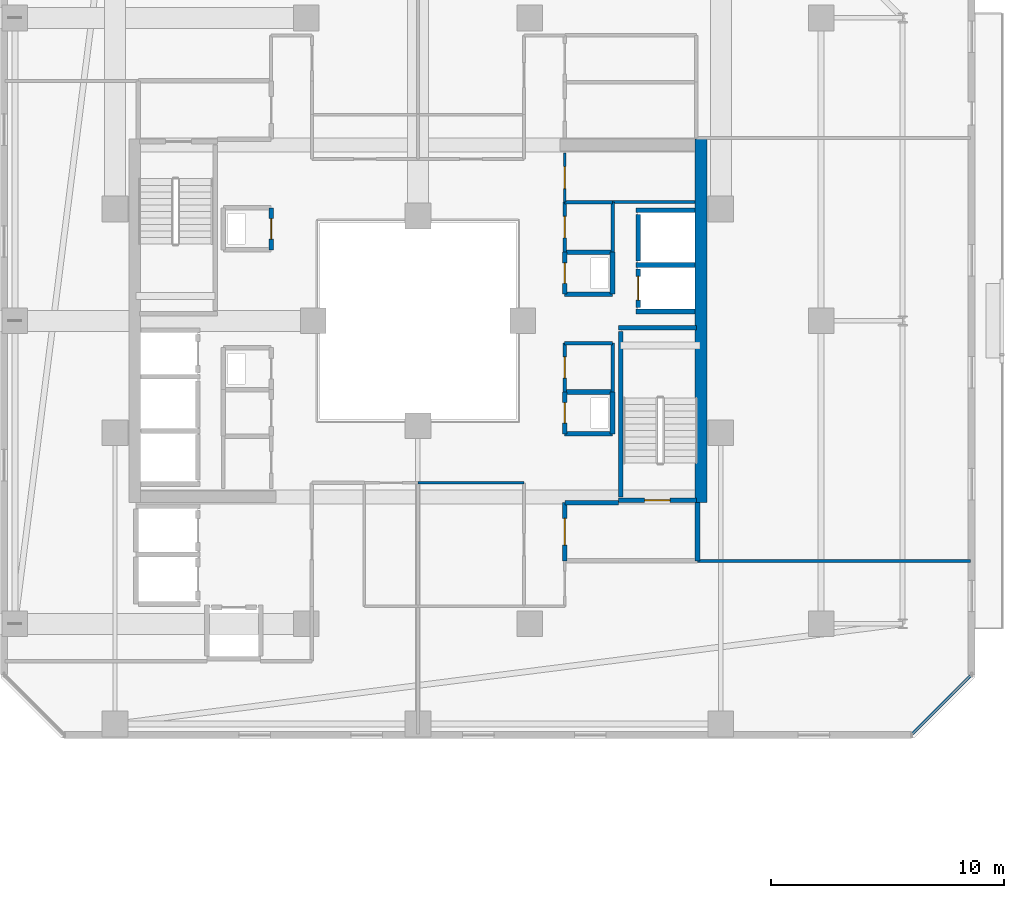
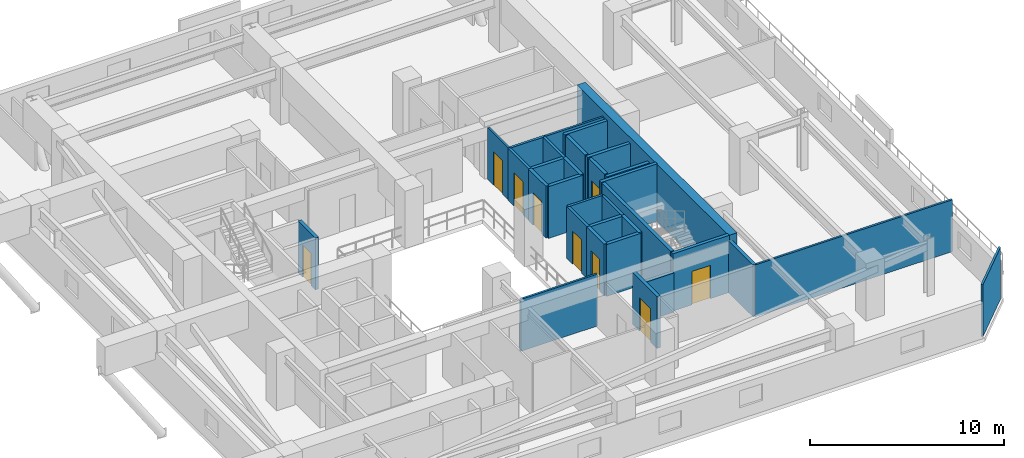
# One storey, part 27 of 36: 32 walls, 9 doors, 9 openings.
"""IFC4 building model written with IfcOpenShell, lengths in metres."""

from ifc_helpers import new_model, si_unit, direction, frame, frame_2d, origin, place, context, subcontext, project, spatial, rectangle, extrude, material, layer, layer_set, type_object, element, fill, save


model = new_model("IFC4")

# Units and contexts
model_context = context("Model", 3, precision=1e-05, world=origin(), true_north=direction((0.0, 1.0)))
body_context = subcontext(model_context, "Body", "Model", "MODEL_VIEW")
ifc_project = project(units=[si_unit("LENGTHUNIT", "METRE"), si_unit("AREAUNIT", "SQUARE_METRE"), si_unit("VOLUMEUNIT", "CUBIC_METRE"), si_unit("PLANEANGLEUNIT", "RADIAN"), si_unit("MASSUNIT", "GRAM", prefix="KILO")], contexts=[model_context])

# Site, building, storey
site_placement = place(None, origin())
site = spatial("IfcSite", under=ifc_project, at=site_placement, CompositionType="ELEMENT")
building_placement = place(site_placement, origin())
building = spatial("IfcBuilding", under=site, at=building_placement, Name="Thornwick Lancets Civic Towers", CompositionType="ELEMENT")
storey_placement = place(building_placement, frame((0.0, 0.0, 170.699951171875)))
storey = spatial("IfcBuildingStorey", under=building, at=storey_placement, Name="L45", CompositionType="ELEMENT", Elevation=170.699951171875)

# Wall, opening, door
ifc_material_1 = material(Name="Concrete blockwork C40/50", Category="masonry")
ifc_layer_1 = layer(ifc_material_1, 0.199951171875, Name="Concrete blockwork C40/50")
ifc_layer_set_1 = layer_set([ifc_layer_1], Name="Concrete blockwork C40/50")
wall_type_1 = type_object("IfcWallType", Name="WALL_COMP_200", PredefinedType="STANDARD", material=ifc_layer_set_1)
wall_1_placement = place(storey_placement, frame((97.949951171875, 29.219970703125, 0.0), z_axis=(0.0, 0.0, 1.0), x_axis=(0.0, -1.0, 0.0)))
wall_1 = element("IfcWall", 1, at=wall_1_placement, inside=storey, type_object=wall_type_1, Name="L45 Hoistway Front Wall FL-B1", PredefinedType="STANDARD", context=body_context, shape_type="SweptSolid", body=[
    extrude(rectangle(XDim=1.639892578125, YDim=0.199951171875, at=frame_2d((0.81982421875, 0.0))), origin(), (0.0, 0.0, 1.0), 3.260009765625),
])
opening_1_placement = place(wall_1_placement, frame((0.31005859375, 0.0, 0.0)))
opening_1 = element("IfcOpeningElement", 2, at=opening_1_placement, cuts=wall_1, Name="Opening LD-FL-B1", PredefinedType="OPENING", context=body_context, shape_type="SweptSolid", body=[
    extrude(rectangle(XDim=1.02001953125, YDim=2.06005859375, at=frame_2d((0.510009765625, 1.030029296875))), frame((0.0, 0.10986328125, 0.0), z_axis=(0.0, -1.0, 0.0), x_axis=(1.0, 0.0, 0.0)), (0.0, 0.0, 1.0), 0.219970703125),
])
ifc_material_2 = material(Name="Brushed bronze stainless steel", Category="steel")
door_type_1 = type_object("IfcDoorType", Name="DOOR_LIFT_SLIDE", OperationType="SLIDING_TO_LEFT", PredefinedType="DOOR", material=ifc_material_2)
door_1_placement = place(opening_1_placement, origin())
door_1 = element("IfcDoor", 3, at=door_1_placement, inside=storey, type_object=door_type_1, Name="L45 Sliding Lift Landing Door LD-FL-B1", OperationType="SLIDING_TO_LEFT", OverallHeight=2.06005859375, OverallWidth=1.02001953125, PredefinedType="DOOR", context=body_context, shape_type="SweptSolid", body=[
    extrude(rectangle(XDim=1.02001953125, YDim=2.06005859375, at=frame_2d((0.510009765625, 1.030029296875))), frame((0.0, 0.02490234375, 0.0), z_axis=(0.0, -1.0, 0.0), x_axis=(1.0, 0.0, 0.0)), (0.0, 0.0, 1.0), 0.050048828125),
])
fill(opening_1, door_1)

# Walls
wall_2_placement = place(storey_placement, frame((97.949951171875, 31.570068359375, 0.0), z_axis=(0.0, 0.0, 1.0), x_axis=(0.0, -1.0, 0.0)))
element("IfcWall", 4, at=wall_2_placement, inside=storey, type_object=wall_type_1, Name="L45 Hoistway Front Wall PL-BH1", PredefinedType="STANDARD", context=body_context, shape_type="SweptSolid", body=[
    extrude(rectangle(XDim=1.989990234375, YDim=0.199951171875, at=frame_2d((0.9951171875, 0.0))), origin(), (0.0, 0.0, 1.0), 3.260009765625),
])
for number, where, z_axis, x_axis, name in (
    (5, (97.85205078125, 29.39990234375, 0.0), (0.0, 0.0, 1.0), (1.0, 0.0, 0.0), "L45 Hoistway Shaft Wall FL-B1 N"),
    (6, (97.85205078125, 27.39990234375, 0.0), (0.0, 0.0, 1.0), (1.0, 0.0, 0.0), "L45 Hoistway Shaft Wall FL-B1 S"),
    (7, (97.85205078125, 31.75, 0.0), (0.0, 0.0, 1.0), (1.0, 0.0, 0.0), "L45 Hoistway Shaft Wall PL-BH1 N"),
):
    element("IfcWall", number, at=place(storey_placement, frame(where, z_axis=z_axis, x_axis=x_axis)), inside=storey, type_object=wall_type_1, Name=name, PredefinedType="STANDARD", context=body_context, shape_type="SweptSolid", body=[
        extrude(rectangle(XDim=2.535888671875, YDim=0.199951171875, at=frame_2d((1.26806640625, 0.0))), origin(), (0.0, 0.0, 1.0), 3.260009765625),
    ])
wall_3_placement = place(storey_placement, frame((100.5, 16.699951171875, 0.0), z_axis=(0.0, 0.0, 1.0), x_axis=(0.0, 1.0, 0.0)))
element("IfcWall", 8, at=wall_3_placement, inside=storey, type_object=wall_type_1, Name="L45 Partition L45-B-FFLOB1 E2", PredefinedType="STANDARD", context=body_context, shape_type="SweptSolid", body=[
    extrude(rectangle(XDim=2.5, YDim=0.199951171875, at=frame_2d((1.25, 0.0))), origin(), (0.0, 0.0, 1.0), 3.260009765625),
])
wall_4_placement = place(storey_placement, frame((97.10009765625, 19.199951171875, 0.0), z_axis=(0.0, 0.0, 1.0), x_axis=(-1.0, 0.0, 0.0)))
element("IfcWall", 9, at=wall_4_placement, inside=storey, type_object=wall_type_1, Name="L45 Partition L45-B-FFLOB1 E3", PredefinedType="STANDARD", context=body_context, shape_type="SweptSolid", body=[
    extrude(rectangle(XDim=2.300048828125, YDim=0.199951171875, at=frame_2d((1.14990234375, 0.0))), origin(), (0.0, 0.0, 1.0), 2.465087890625),
])

# Wall, opening, door
wall_5_placement = place(storey_placement, frame((94.800048828125, 19.199951171875, 0.0), z_axis=(0.0, 0.0, 1.0), x_axis=(0.0, -1.0, 0.0)))
wall_5 = element("IfcWall", 10, at=wall_5_placement, inside=storey, type_object=wall_type_1, Name="L45 Partition L45-B-FFLOB1 E4", PredefinedType="STANDARD", context=body_context, shape_type="SweptSolid", body=[
    extrude(rectangle(XDim=2.5, YDim=0.199951171875, at=frame_2d((1.25, 0.0))), origin(), (0.0, 0.0, 1.0), 3.260009765625),
])
opening_2_placement = place(wall_5_placement, frame((0.675048828125, 0.0, 0.0)))
opening_2 = element("IfcOpeningElement", 11, at=opening_2_placement, cuts=wall_5, Name="Opening D-L45-2014", PredefinedType="OPENING", context=body_context, shape_type="SweptSolid", body=[
    extrude(rectangle(XDim=1.14990234375, YDim=2.10009765625, at=frame_2d((0.574951171875, 1.050048828125))), frame((0.0, 0.10986328125, 0.0), z_axis=(0.0, -1.0, 0.0), x_axis=(1.0, 0.0, 0.0)), (0.0, 0.0, 1.0), 0.219970703125),
])
ifc_material_3 = material(Name="Glazed fire-resisting steel", Category="steel")
door_type_2 = type_object("IfcDoorType", Name="DOOR_LOBBY_FD60", OperationType="NOTDEFINED", PredefinedType="DOOR", material=ifc_material_3)
door_2_placement = place(opening_2_placement, origin())
door_2 = element("IfcDoor", 12, at=door_2_placement, inside=storey, type_object=door_type_2, Name="L45 East Firefighting Lobby 1 Door", OperationType="SINGLE_SWING_LEFT", OverallHeight=2.10009765625, OverallWidth=1.14990234375, PredefinedType="DOOR", context=body_context, shape_type="SweptSolid", body=[
    extrude(rectangle(XDim=1.14990234375, YDim=2.10009765625, at=frame_2d((0.574951171875, 1.050048828125))), frame((0.0, 0.02490234375, 0.0), z_axis=(0.0, -1.0, 0.0), x_axis=(1.0, 0.0, 0.0)), (0.0, 0.0, 1.0), 0.050048828125),
])
fill(opening_2, door_2)

# Walls
wall_6_placement = place(storey_placement, frame((94.800048828125, 28.14990234375, 0.0), z_axis=(0.0, 0.0, 1.0), x_axis=(1.0, 0.0, 0.0)))
element("IfcWall", 13, at=wall_6_placement, inside=storey, type_object=wall_type_1, Name="L45 Partition L45-B-DUCT1 E1", PredefinedType="STANDARD", context=body_context, shape_type="SweptSolid", body=[
    extrude(rectangle(XDim=2.050048828125, YDim=0.199951171875, at=frame_2d((1.02490234375, 0.0))), origin(), (0.0, 0.0, 1.0), 3.260009765625),
])
wall_7_placement = place(storey_placement, frame((96.85009765625, 28.14990234375, 0.0), z_axis=(0.0, 0.0, 1.0), x_axis=(0.0, 1.0, 0.0)))
element("IfcWall", 14, at=wall_7_placement, inside=storey, type_object=wall_type_1, Name="L45 Partition L45-B-DUCT1 E2", PredefinedType="STANDARD", context=body_context, shape_type="SweptSolid", body=[
    extrude(rectangle(XDim=1.800048828125, YDim=0.199951171875, at=frame_2d((0.89990234375, 0.0))), origin(), (0.0, 0.0, 1.0), 3.260009765625),
])
wall_8_placement = place(storey_placement, frame((96.85009765625, 29.949951171875, 0.0), z_axis=(0.0, 0.0, 1.0), x_axis=(-1.0, 0.0, 0.0)))
element("IfcWall", 15, at=wall_8_placement, inside=storey, type_object=wall_type_1, Name="L45 Partition L45-B-DUCT1 E3", PredefinedType="STANDARD", context=body_context, shape_type="SweptSolid", body=[
    extrude(rectangle(XDim=2.050048828125, YDim=0.199951171875, at=frame_2d((1.02490234375, 0.0))), origin(), (0.0, 0.0, 1.0), 3.260009765625),
])

# Wall, opening, door
wall_9_placement = place(storey_placement, frame((94.800048828125, 29.949951171875, 0.0), z_axis=(0.0, 0.0, 1.0), x_axis=(0.0, -1.0, 0.0)))
wall_9 = element("IfcWall", 16, at=wall_9_placement, inside=storey, type_object=wall_type_1, Name="L45 Partition L45-B-DUCT1 E4", PredefinedType="STANDARD", context=body_context, shape_type="SweptSolid", body=[
    extrude(rectangle(XDim=1.800048828125, YDim=0.199951171875, at=frame_2d((0.89990234375, 0.0))), origin(), (0.0, 0.0, 1.0), 3.260009765625),
])
opening_3_placement = place(wall_9_placement, frame((0.4599609375, 0.0, 0.0)))
opening_3 = element("IfcOpeningElement", 17, at=opening_3_placement, cuts=wall_9, Name="Opening D-L45-2016", PredefinedType="OPENING", context=body_context, shape_type="SweptSolid", body=[
    extrude(rectangle(XDim=0.8798828125, YDim=2.0400390625, at=frame_2d((0.43994140625, 1.02001953125))), frame((0.0, 0.10986328125, 0.0), z_axis=(0.0, -1.0, 0.0), x_axis=(1.0, 0.0, 0.0)), (0.0, 0.0, 1.0), 0.219970703125),
])
ifc_material_4 = material(Name="Steel riser access doorset", Category="steel")
door_type_3 = type_object("IfcDoorType", Name="DOOR_RISER_850", OperationType="NOTDEFINED", PredefinedType="DOOR", material=ifc_material_4)
door_3_placement = place(opening_3_placement, origin())
door_3 = element("IfcDoor", 18, at=door_3_placement, inside=storey, type_object=door_type_3, Name="L45 East Service Duct 1 Door", OperationType="SINGLE_SWING_LEFT", OverallHeight=2.0400390625, OverallWidth=0.8798828125, PredefinedType="DOOR", context=body_context, shape_type="SweptSolid", body=[
    extrude(rectangle(XDim=0.8798828125, YDim=2.0400390625, at=frame_2d((0.43994140625, 1.02001953125))), frame((0.0, 0.02490234375, 0.0), z_axis=(0.0, -1.0, 0.0), x_axis=(1.0, 0.0, 0.0)), (0.0, 0.0, 1.0), 0.050048828125),
])
fill(opening_3, door_3)

# Walls
wall_10_placement = place(storey_placement, frame((94.800048828125, 22.14990234375, 0.0), z_axis=(0.0, 0.0, 1.0), x_axis=(1.0, 0.0, 0.0)))
element("IfcWall", 19, at=wall_10_placement, inside=storey, type_object=wall_type_1, Name="L45 Partition L45-B-RISER1 E1", PredefinedType="STANDARD", context=body_context, shape_type="SweptSolid", body=[
    extrude(rectangle(XDim=2.050048828125, YDim=0.199951171875, at=frame_2d((1.02490234375, 0.0))), origin(), (0.0, 0.0, 1.0), 3.260009765625),
])
wall_11_placement = place(storey_placement, frame((96.85009765625, 22.14990234375, 0.0), z_axis=(0.0, 0.0, 1.0), x_axis=(0.0, 1.0, 0.0)))
element("IfcWall", 20, at=wall_11_placement, inside=storey, type_object=wall_type_1, Name="L45 Partition L45-B-RISER1 E2", PredefinedType="STANDARD", context=body_context, shape_type="SweptSolid", body=[
    extrude(rectangle(XDim=1.800048828125, YDim=0.199951171875, at=frame_2d((0.89990234375, 0.0))), origin(), (0.0, 0.0, 1.0), 3.260009765625),
])
wall_12_placement = place(storey_placement, frame((96.85009765625, 23.949951171875, 0.0), z_axis=(0.0, 0.0, 1.0), x_axis=(-1.0, 0.0, 0.0)))
element("IfcWall", 21, at=wall_12_placement, inside=storey, type_object=wall_type_1, Name="L45 Partition L45-B-RISER1 E3", PredefinedType="STANDARD", context=body_context, shape_type="SweptSolid", body=[
    extrude(rectangle(XDim=2.050048828125, YDim=0.199951171875, at=frame_2d((1.02490234375, 0.0))), origin(), (0.0, 0.0, 1.0), 3.260009765625),
])

# Wall, opening, door
wall_13_placement = place(storey_placement, frame((94.800048828125, 23.949951171875, 0.0), z_axis=(0.0, 0.0, 1.0), x_axis=(0.0, -1.0, 0.0)))
wall_13 = element("IfcWall", 22, at=wall_13_placement, inside=storey, type_object=wall_type_1, Name="L45 Partition L45-B-RISER1 E4", PredefinedType="STANDARD", context=body_context, shape_type="SweptSolid", body=[
    extrude(rectangle(XDim=1.800048828125, YDim=0.199951171875, at=frame_2d((0.89990234375, 0.0))), origin(), (0.0, 0.0, 1.0), 3.260009765625),
])
opening_4_placement = place(wall_13_placement, frame((0.4599609375, 0.0, 0.0)))
opening_4 = element("IfcOpeningElement", 23, at=opening_4_placement, cuts=wall_13, Name="Opening D-L45-2017", PredefinedType="OPENING", context=body_context, shape_type="SweptSolid", body=[
    extrude(rectangle(XDim=0.8798828125, YDim=2.0400390625, at=frame_2d((0.43994140625, 1.02001953125))), frame((0.0, 0.10986328125, 0.0), z_axis=(0.0, -1.0, 0.0), x_axis=(1.0, 0.0, 0.0)), (0.0, 0.0, 1.0), 0.219970703125),
])
door_4_placement = place(opening_4_placement, origin())
door_4 = element("IfcDoor", 24, at=door_4_placement, inside=storey, type_object=door_type_3, Name="L45 East Electrical Riser 1 Door", OperationType="SINGLE_SWING_RIGHT", OverallHeight=2.0400390625, OverallWidth=0.8798828125, PredefinedType="DOOR", context=body_context, shape_type="SweptSolid", body=[
    extrude(rectangle(XDim=0.8798828125, YDim=2.0400390625, at=frame_2d((0.43994140625, 1.02001953125))), frame((0.0, 0.02490234375, 0.0), z_axis=(0.0, -1.0, 0.0), x_axis=(1.0, 0.0, 0.0)), (0.0, 0.0, 1.0), 0.050048828125),
])
fill(opening_4, door_4)

wall_14_placement = place(storey_placement, frame((82.199951171875, 30.050048828125, 0.0), z_axis=(0.0, 0.0, 1.0), x_axis=(0.0, 1.0, 0.0)))
wall_14 = element("IfcWall", 25, at=wall_14_placement, inside=storey, type_object=wall_type_1, Name="L45 Partition L45-B-RISER2 E2", PredefinedType="STANDARD", context=body_context, shape_type="SweptSolid", body=[
    extrude(rectangle(XDim=1.800048828125, YDim=0.199951171875, at=frame_2d((0.89990234375, 0.0))), origin(), (0.0, 0.0, 1.0), 3.260009765625),
])
opening_5_placement = place(wall_14_placement, frame((0.4599609375, 0.0, 0.0)))
opening_5 = element("IfcOpeningElement", 26, at=opening_5_placement, cuts=wall_14, Name="Opening D-L45-2019", PredefinedType="OPENING", context=body_context, shape_type="SweptSolid", body=[
    extrude(rectangle(XDim=0.8798828125, YDim=2.0400390625, at=frame_2d((0.43994140625, 1.02001953125))), frame((0.0, 0.10986328125, 0.0), z_axis=(0.0, -1.0, 0.0), x_axis=(1.0, 0.0, 0.0)), (0.0, 0.0, 1.0), 0.219970703125),
])
door_5_placement = place(opening_5_placement, origin())
door_5 = element("IfcDoor", 27, at=door_5_placement, inside=storey, type_object=door_type_3, Name="L45 West Service Riser 2 Door", OperationType="SINGLE_SWING_RIGHT", OverallHeight=2.0400390625, OverallWidth=0.8798828125, PredefinedType="DOOR", context=body_context, shape_type="SweptSolid", body=[
    extrude(rectangle(XDim=0.8798828125, YDim=2.0400390625, at=frame_2d((0.43994140625, 1.02001953125))), frame((0.0, 0.02490234375, 0.0), z_axis=(0.0, -1.0, 0.0), x_axis=(1.0, 0.0, 0.0)), (0.0, 0.0, 1.0), 0.050048828125),
])
fill(opening_5, door_5)

# Wall
ifc_material_5 = material(Name="Concrete C50/60", Category="concrete")
ifc_layer_2 = layer(ifc_material_5, 0.5, Name="Concrete C50/60")
ifc_layer_set_2 = layer_set([ifc_layer_2], Name="Concrete C50/60")
wall_type_2 = type_object("IfcWallType", Name="WALL_CORE_500", PredefinedType="SHEAR", material=ifc_layer_set_2)
wall_15_placement = place(storey_placement, frame((100.64990234375, 19.199951171875, 0.0), z_axis=(0.0, 0.0, 1.0), x_axis=(0.0, 1.0, 0.0)))
element("IfcWall", 28, at=wall_15_placement, inside=storey, type_object=wall_type_2, Name="L45 Split Core B1 Shear Wall E", PredefinedType="SHEAR", context=body_context, shape_type="SweptSolid", body=[
    extrude(rectangle(XDim=15.60009765625, YDim=0.5, at=frame_2d((7.800048828125, 0.0))), origin(), (0.0, 0.0, 1.0), 3.60009765625),
])

# Wall, opening, door
ifc_material_6 = material(Name="Acoustic gypsum board partition")
ifc_layer_3 = layer(ifc_material_6, 0.1201171875, Name="Acoustic gypsum board partition")
ifc_layer_set_3 = layer_set([ifc_layer_3], Name="Acoustic gypsum board partition")
wall_type_3 = type_object("IfcWallType", Name="WALL_PART_120", PredefinedType="PARTITIONING", material=ifc_layer_set_3)
wall_16_placement = place(storey_placement, frame((94.800048828125, 32.10009765625, 0.0), z_axis=(0.0, 0.0, 1.0), x_axis=(0.0, 1.0, 0.0)))
wall_16 = element("IfcWall", 29, at=wall_16_placement, inside=storey, type_object=wall_type_3, Name="L45 Partition L45-B-ITR E1", PredefinedType="PARTITIONING", context=body_context, shape_type="SweptSolid", body=[
    extrude(rectangle(XDim=2.099853515625, YDim=0.1201171875, at=frame_2d((1.0498046875, 0.0))), origin(), (0.0, 0.0, 1.0), 3.260009765625),
])
opening_6_placement = place(wall_16_placement, frame((0.574951171875, 0.0, 0.0)))
opening_6 = element("IfcOpeningElement", 30, at=opening_6_placement, cuts=wall_16, Name="Opening D-L45-2022", PredefinedType="OPENING", context=body_context, shape_type="SweptSolid", body=[
    extrude(rectangle(XDim=0.949951171875, YDim=2.10009765625, at=frame_2d((0.47509765625, 1.050048828125))), frame((0.0, 0.070068359375, 0.0), z_axis=(0.0, -1.0, 0.0), x_axis=(1.0, 0.0, 0.0)), (0.0, 0.0, 1.0), 0.14013671875),
])
ifc_material_7 = material(Name="European oak acoustic doorset")
door_type_4 = type_object("IfcDoorType", Name="DOOR_OFFICE_950", OperationType="NOTDEFINED", PredefinedType="DOOR", material=ifc_material_7)
door_6_placement = place(opening_6_placement, origin())
door_6 = element("IfcDoor", 31, at=door_6_placement, inside=storey, type_object=door_type_4, Name="L45 Tower B Comms Patch Room Door", OperationType="SINGLE_SWING_LEFT", OverallHeight=2.10009765625, OverallWidth=0.949951171875, PredefinedType="DOOR", context=body_context, shape_type="SweptSolid", body=[
    extrude(rectangle(XDim=0.949951171875, YDim=2.10009765625, at=frame_2d((0.47509765625, 1.050048828125))), frame((0.0, 0.02490234375, 0.0), z_axis=(0.0, -1.0, 0.0), x_axis=(1.0, 0.0, 0.0)), (0.0, 0.0, 1.0), 0.050048828125),
])
fill(opening_6, door_6)

# Walls
wall_17_placement = place(storey_placement, frame((100.39990234375, 32.10009765625, 0.0), z_axis=(0.0, 0.0, 1.0), x_axis=(-1.0, 0.0, 0.0)))
element("IfcWall", 32, at=wall_17_placement, inside=storey, type_object=wall_type_3, Name="L45 Partition L45-B-ITR E4", PredefinedType="PARTITIONING", context=body_context, shape_type="SweptSolid", body=[
    extrude(rectangle(XDim=3.5498046875, YDim=0.1201171875, at=frame_2d((1.77490234375, 0.0))), origin(), (0.0, 0.0, 1.0), 3.260009765625),
])
wall_18_placement = place(storey_placement, frame((100.5, 16.699951171875, 0.0), z_axis=(0.0, 0.0, 1.0), x_axis=(1.0, 0.0, 0.0)))
element("IfcWall", 33, at=wall_18_placement, inside=storey, type_object=wall_type_3, Name="L45 Partition L45-B-W1 E7", PredefinedType="PARTITIONING", context=body_context, shape_type="SweptSolid", body=[
    extrude(rectangle(XDim=11.719970703125, YDim=0.1201171875, at=frame_2d((5.85986328125, 0.0))), origin(), (0.0, 0.0, 1.0), 3.260009765625),
])
wall_19_placement = place(storey_placement, frame((112.219970703125, 11.774658203125, 0.0), z_axis=(0.0, 0.0, 1.0), x_axis=(-0.707106781187, -0.707106781187, 0.0)))
element("IfcWall", 34, at=wall_19_placement, inside=storey, type_object=wall_type_3, Name="L45 Partition L45-B-W1 E9", PredefinedType="PARTITIONING", context=body_context, shape_type="SweptSolid", body=[
    extrude(rectangle(XDim=3.52783203125, YDim=0.1201171875, at=frame_2d((1.763916015625, 0.0))), origin(), (0.0, 0.0, 1.0), 3.260009765625),
])
wall_20_placement = place(storey_placement, frame((88.5, 20.050048828125, 0.0), z_axis=(0.0, 0.0, 1.0), x_axis=(1.0, 0.0, 0.0)))
element("IfcWall", 35, at=wall_20_placement, inside=storey, type_object=wall_type_3, Name="L45 Partition L45-B-W2 E2", PredefinedType="PARTITIONING", context=body_context, shape_type="SweptSolid", body=[
    extrude(rectangle(XDim=4.550048828125, YDim=0.1201171875, at=frame_2d((2.27490234375, 0.0))), origin(), (0.0, 0.0, 1.0), 3.260009765625),
])

# Wall, opening, door
ifc_material_8 = material(Name="Twin-stud acoustic gypsum board")
ifc_layer_4 = layer(ifc_material_8, 0.14990234375, Name="Twin-stud acoustic gypsum board")
ifc_layer_set_4 = layer_set([ifc_layer_4], Name="Twin-stud acoustic gypsum board")
wall_type_4 = type_object("IfcWallType", Name="WALL_PART_150", PredefinedType="PARTITIONING", material=ifc_layer_set_4)
wall_21_placement = place(storey_placement, frame((94.800048828125, 23.949951171875, 0.0), z_axis=(0.0, 0.0, 1.0), x_axis=(0.0, 1.0, 0.0)))
wall_21 = element("IfcWall", 36, at=wall_21_placement, inside=storey, type_object=wall_type_4, Name="L45 Partition L45-B-MWC E1", PredefinedType="PARTITIONING", context=body_context, shape_type="SweptSolid", body=[
    extrude(rectangle(XDim=2.10009765625, YDim=0.14990234375, at=frame_2d((1.050048828125, 0.0))), origin(), (0.0, 0.0, 1.0), 3.260009765625),
])
opening_7_placement = place(wall_21_placement, frame((0.590087890625, 0.0, 0.0)))
opening_7 = element("IfcOpeningElement", 37, at=opening_7_placement, cuts=wall_21, Name="Opening D-L45-2020", PredefinedType="OPENING", context=body_context, shape_type="SweptSolid", body=[
    extrude(rectangle(XDim=0.919921875, YDim=2.080078125, at=frame_2d((0.4599609375, 1.0400390625))), frame((0.0, 0.0849609375, 0.0), z_axis=(0.0, -1.0, 0.0), x_axis=(1.0, 0.0, 0.0)), (0.0, 0.0, 1.0), 0.169921875),
])
ifc_material_9 = material(Name="Moisture-resistant oak doorset")
door_type_5 = type_object("IfcDoorType", Name="DOOR_WC_900", OperationType="NOTDEFINED", PredefinedType="DOOR", material=ifc_material_9)
door_7_placement = place(opening_7_placement, origin())
door_7 = element("IfcDoor", 38, at=door_7_placement, inside=storey, type_object=door_type_5, Name="L45 Tower B Male WC Door", OperationType="SINGLE_SWING_LEFT", OverallHeight=2.080078125, OverallWidth=0.919921875, PredefinedType="DOOR", context=body_context, shape_type="SweptSolid", body=[
    extrude(rectangle(XDim=0.919921875, YDim=2.080078125, at=frame_2d((0.4599609375, 1.0400390625))), frame((0.0, 0.02490234375, 0.0), z_axis=(0.0, -1.0, 0.0), x_axis=(1.0, 0.0, 0.0)), (0.0, 0.0, 1.0), 0.050048828125),
])
fill(opening_7, door_7)

# Walls
wall_22_placement = place(storey_placement, frame((94.800048828125, 26.050048828125, 0.0), z_axis=(0.0, 0.0, 1.0), x_axis=(1.0, 0.0, 0.0)))
element("IfcWall", 39, at=wall_22_placement, inside=storey, type_object=wall_type_4, Name="L45 Partition L45-B-MWC E2", PredefinedType="PARTITIONING", context=body_context, shape_type="SweptSolid", body=[
    extrude(rectangle(XDim=2.050048828125, YDim=0.14990234375, at=frame_2d((1.02490234375, 0.0))), origin(), (0.0, 0.0, 1.0), 3.260009765625),
])
wall_23_placement = place(storey_placement, frame((96.85009765625, 26.050048828125, 0.0), z_axis=(0.0, 0.0, 1.0), x_axis=(0.0, -1.0, 0.0)))
element("IfcWall", 40, at=wall_23_placement, inside=storey, type_object=wall_type_4, Name="L45 Partition L45-B-MWC E3", PredefinedType="PARTITIONING", context=body_context, shape_type="SweptSolid", body=[
    extrude(rectangle(XDim=2.10009765625, YDim=0.14990234375, at=frame_2d((1.050048828125, 0.0))), origin(), (0.0, 0.0, 1.0), 3.260009765625),
])

# Wall, opening, door
wall_24_placement = place(storey_placement, frame((94.800048828125, 29.949951171875, 0.0), z_axis=(0.0, 0.0, 1.0), x_axis=(0.0, 1.0, 0.0)))
wall_24 = element("IfcWall", 41, at=wall_24_placement, inside=storey, type_object=wall_type_4, Name="L45 Partition L45-B-FWC E1", PredefinedType="PARTITIONING", context=body_context, shape_type="SweptSolid", body=[
    extrude(rectangle(XDim=2.150146484375, YDim=0.14990234375, at=frame_2d((1.0751953125, 0.0))), origin(), (0.0, 0.0, 1.0), 3.260009765625),
])
opening_8_placement = place(wall_24_placement, frame((0.614990234375, 0.0, 0.0)))
opening_8 = element("IfcOpeningElement", 42, at=opening_8_placement, cuts=wall_24, Name="Opening D-L45-2021", PredefinedType="OPENING", context=body_context, shape_type="SweptSolid", body=[
    extrude(rectangle(XDim=0.919921875, YDim=2.080078125, at=frame_2d((0.4599609375, 1.0400390625))), frame((0.0, 0.0849609375, 0.0), z_axis=(0.0, -1.0, 0.0), x_axis=(1.0, 0.0, 0.0)), (0.0, 0.0, 1.0), 0.169921875),
])
door_8_placement = place(opening_8_placement, origin())
door_8 = element("IfcDoor", 43, at=door_8_placement, inside=storey, type_object=door_type_5, Name="L45 Tower B Female WC Door", OperationType="SINGLE_SWING_RIGHT", OverallHeight=2.080078125, OverallWidth=0.919921875, PredefinedType="DOOR", context=body_context, shape_type="SweptSolid", body=[
    extrude(rectangle(XDim=0.919921875, YDim=2.080078125, at=frame_2d((0.4599609375, 1.0400390625))), frame((0.0, 0.02490234375, 0.0), z_axis=(0.0, -1.0, 0.0), x_axis=(1.0, 0.0, 0.0)), (0.0, 0.0, 1.0), 0.050048828125),
])
fill(opening_8, door_8)

# Walls
wall_25_placement = place(storey_placement, frame((94.800048828125, 32.10009765625, 0.0), z_axis=(0.0, 0.0, 1.0), x_axis=(1.0, 0.0, 0.0)))
element("IfcWall", 44, at=wall_25_placement, inside=storey, type_object=wall_type_4, Name="L45 Partition L45-B-FWC E2", PredefinedType="PARTITIONING", context=body_context, shape_type="SweptSolid", body=[
    extrude(rectangle(XDim=2.050048828125, YDim=0.14990234375, at=frame_2d((1.02490234375, 0.0))), origin(), (0.0, 0.0, 1.0), 3.260009765625),
])
wall_26_placement = place(storey_placement, frame((96.85009765625, 32.10009765625, 0.0), z_axis=(0.0, 0.0, 1.0), x_axis=(0.0, -1.0, 0.0)))
element("IfcWall", 45, at=wall_26_placement, inside=storey, type_object=wall_type_4, Name="L45 Partition L45-B-FWC E3", PredefinedType="PARTITIONING", context=body_context, shape_type="SweptSolid", body=[
    extrude(rectangle(XDim=2.150146484375, YDim=0.14990234375, at=frame_2d((1.0751953125, 0.0))), origin(), (0.0, 0.0, 1.0), 3.260009765625),
])

# Wall, opening, door
ifc_material_10 = material(Name="Concrete C40/50", Category="concrete")
ifc_layer_5 = layer(ifc_material_10, 0.199951171875, Name="Concrete C40/50")
ifc_layer_set_5 = layer_set([ifc_layer_5], Name="Concrete C40/50")
wall_type_5 = type_object("IfcWallType", Name="WALL_SHAFT_200", PredefinedType="SHEAR", material=ifc_layer_set_5)
wall_27_placement = place(storey_placement, frame((100.449951171875, 19.300048828125, 0.0), z_axis=(0.0, 0.0, 1.0), x_axis=(-1.0, 0.0, 0.0)))
wall_27 = element("IfcWall", 46, at=wall_27_placement, inside=storey, type_object=wall_type_5, Name="L45 ST-B1 Fire Stair Core Wall NEAR", PredefinedType="SHEAR", context=body_context, shape_type="SweptSolid", body=[
    extrude(rectangle(XDim=3.349853515625, YDim=0.199951171875, at=frame_2d((1.6748046875, 0.0))), origin(), (0.0, 0.0, 1.0), 3.60009765625),
])
opening_9_placement = place(wall_27_placement, frame((1.125, 0.0, 0.0)))
opening_9 = element("IfcOpeningElement", 47, at=opening_9_placement, cuts=wall_27, Name="Opening D-ST-B1-L45", PredefinedType="OPENING", context=body_context, shape_type="SweptSolid", body=[
    extrude(rectangle(XDim=1.10009765625, YDim=2.10009765625, at=frame_2d((0.550048828125, 1.050048828125))), frame((0.0, 0.10986328125, 0.0), z_axis=(0.0, -1.0, 0.0), x_axis=(1.0, 0.0, 0.0)), (0.0, 0.0, 1.0), 0.219970703125),
])
ifc_material_11 = material(Name="Fire-resisting steel and hardwood", Category="steel")
door_type_6 = type_object("IfcDoorType", Name="DOOR_STAIR_FD60", OperationType="NOTDEFINED", PredefinedType="DOOR", material=ifc_material_11)
door_9_placement = place(opening_9_placement, origin())
door_9 = element("IfcDoor", 48, at=door_9_placement, inside=storey, type_object=door_type_6, Name="L45 ST-B1 Exit Stair Door", OperationType="SINGLE_SWING_RIGHT", OverallHeight=2.10009765625, OverallWidth=1.10009765625, PredefinedType="DOOR", context=body_context, shape_type="SweptSolid", body=[
    extrude(rectangle(XDim=1.10009765625, YDim=2.10009765625, at=frame_2d((0.550048828125, 1.050048828125))), frame((0.0, 0.02490234375, 0.0), z_axis=(0.0, -1.0, 0.0), x_axis=(1.0, 0.0, 0.0)), (0.0, 0.0, 1.0), 0.050048828125),
])
fill(opening_9, door_9)

# Walls
wall_28_placement = place(storey_placement, frame((97.10009765625, 26.699951171875, 0.0), z_axis=(0.0, 0.0, 1.0), x_axis=(1.0, 0.0, 0.0)))
element("IfcWall", 49, at=wall_28_placement, inside=storey, type_object=wall_type_5, Name="L45 ST-B1 Fire Stair Core Wall FAR", PredefinedType="SHEAR", context=body_context, shape_type="SweptSolid", body=[
    extrude(rectangle(XDim=3.349853515625, YDim=0.199951171875, at=frame_2d((1.6748046875, 0.0))), origin(), (0.0, 0.0, 1.0), 3.60009765625),
])
wall_29_placement = place(storey_placement, frame((97.202880859375, 26.550048828125, 0.0), z_axis=(0.0, 0.0, 1.0), x_axis=(0.0, -1.0, 0.0)))
element("IfcWall", 50, at=wall_29_placement, inside=storey, type_object=wall_type_5, Name="L45 ST-B1 Fire Stair Core Wall RIGHT", PredefinedType="SHEAR", context=body_context, shape_type="SweptSolid", body=[
    extrude(rectangle(XDim=7.10009765625, YDim=0.199951171875, at=frame_2d((3.550048828125, 0.0))), origin(), (0.0, 0.0, 1.0), 3.60009765625),
])

save(model, "model.ifc")
